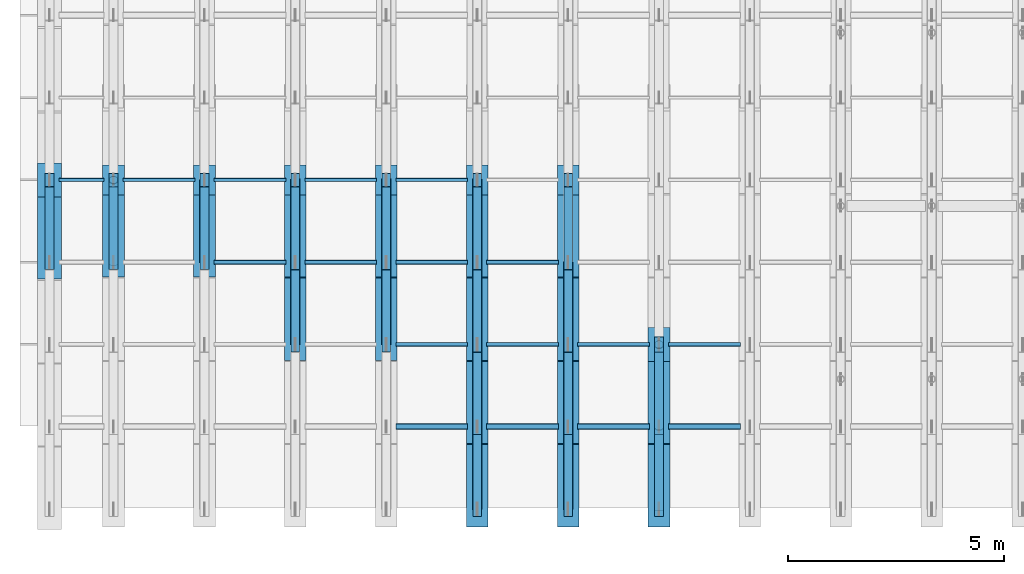
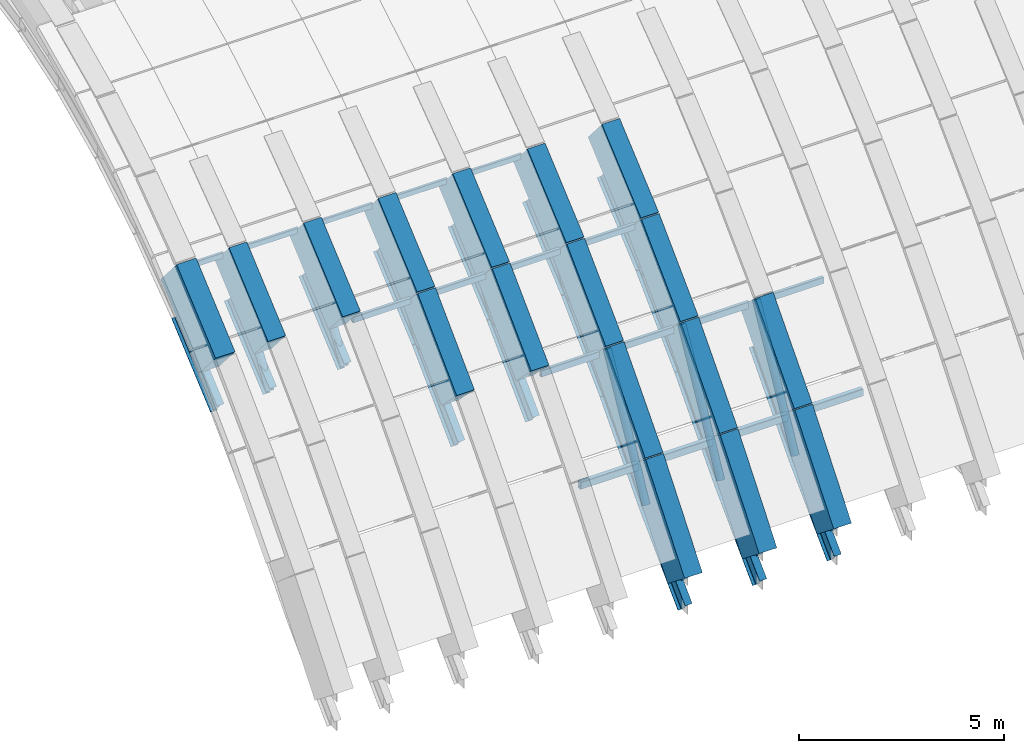
# One storey, part 2 of 67: 34 beams, 32 members.
"""IFC4 building model written with IfcOpenShell, lengths in metres."""

from ifc_helpers import new_model, si_unit, direction, frame, origin, origin_2d, place, context, subcontext, project, spatial, rectangle, hollow_rectangle, hollow_circle, i_section, extrude, material, material_profile, profile_set, type_object, element, save


model = new_model("IFC4")

# Units and contexts
model_context = context("Model", 3, precision=1e-05, world=origin(), true_north=direction((0.0, 1.0)))
body_context = subcontext(model_context, "Body", "Model", "MODEL_VIEW")
ifc_project = project(units=[si_unit("LENGTHUNIT", "METRE"), si_unit("AREAUNIT", "SQUARE_METRE"), si_unit("VOLUMEUNIT", "CUBIC_METRE"), si_unit("PLANEANGLEUNIT", "RADIAN"), si_unit("MASSUNIT", "GRAM", prefix="KILO")], contexts=[model_context])

# Site, building, storey
site_placement = place(None, origin())
site = spatial("IfcSite", under=ifc_project, at=site_placement, CompositionType="ELEMENT")
building_placement = place(site_placement, origin())
building = spatial("IfcBuilding", under=site, at=building_placement, Name="Shengluoqiao Park Theatre", CompositionType="ELEMENT")
storey_placement = place(building_placement, frame((0.0, 0.0, 28.60009765625)))
storey = spatial("IfcBuildingStorey", under=building, at=storey_placement, Name="Roof", CompositionType="ELEMENT", Elevation=28.60009765625)

# Beams
ifc_material_1 = material(Name="Concrete C50", Category="concrete")
ifc_material_profile_1 = material_profile(ifc_material_1, rectangle(XDim=0.5, YDim=1.050048828125, at=origin_2d()), Name="RC ARCH 500x1050")
ifc_profile_set_1 = profile_set([ifc_material_profile_1], Name="Concrete C50")
beam_type_1 = type_object("IfcBeamType", Name="STR-BM-AR-5010", PredefinedType="BEAM", material=ifc_profile_set_1)
for number, where, z_axis, x_axis, name in (
    (1, (46.5, 81.699951171875, -3.593994140625), (0.0, 0.757433195517, 0.652912669757), (-1.0, 0.0, 0.0), "Barrel-Shell Arch Rib R02-S04"),
    (2, (48.60009765625, 81.699951171875, -3.593994140625), (0.0, 0.757433195517, 0.652912669757), (-1.0, 0.0, 0.0), "Barrel-Shell Arch Rib R03-S04"),
):
    element("IfcBeam", number, at=place(storey_placement, frame(where, z_axis=z_axis, x_axis=x_axis)), inside=storey, type_object=beam_type_1, Name=name, PredefinedType="BEAM", context=body_context, shape_type="SweptSolid", body=[
        extrude(rectangle(XDim=0.5, YDim=1.050048828125, at=origin_2d()), origin(), (0.0, 0.0, 1.0), 2.508544921875),
    ])
beam_1_placement = place(storey_placement, frame((50.699951171875, 79.800048828125, -5.484130859375), z_axis=(0.0, 0.708926398432, 0.705282469373), x_axis=(-1.0, 0.0, 0.0)))
element("IfcBeam", 3, at=beam_1_placement, inside=storey, type_object=beam_type_1, Name="Barrel-Shell Arch Rib R04-S03", PredefinedType="BEAM", context=body_context, shape_type="SweptSolid", body=[
    extrude(rectangle(XDim=0.5, YDim=1.050048828125, at=origin_2d()), origin(), (0.0, 0.0, 1.0), 2.679931640625),
])
beam_2_placement = place(storey_placement, frame((50.699951171875, 81.699951171875, -3.593994140625), z_axis=(0.0, 0.757433195517, 0.652912669757), x_axis=(-1.0, 0.0, 0.0)))
element("IfcBeam", 4, at=beam_2_placement, inside=storey, type_object=beam_type_1, Name="Barrel-Shell Arch Rib R04-S04", PredefinedType="BEAM", context=body_context, shape_type="SweptSolid", body=[
    extrude(rectangle(XDim=0.5, YDim=1.050048828125, at=origin_2d()), origin(), (0.0, 0.0, 1.0), 2.508544921875),
])
beam_3_placement = place(storey_placement, frame((52.800048828125, 79.800048828125, -5.484130859375), z_axis=(0.0, 0.708926398432, 0.705282469373), x_axis=(-1.0, 0.0, 0.0)))
element("IfcBeam", 5, at=beam_3_placement, inside=storey, type_object=beam_type_1, Name="Barrel-Shell Arch Rib R05-S03", PredefinedType="BEAM", context=body_context, shape_type="SweptSolid", body=[
    extrude(rectangle(XDim=0.5, YDim=1.050048828125, at=origin_2d()), origin(), (0.0, 0.0, 1.0), 2.679931640625),
])
beam_4_placement = place(storey_placement, frame((52.800048828125, 81.699951171875, -3.593994140625), z_axis=(0.0, 0.757433195517, 0.652912669757), x_axis=(-1.0, 0.0, 0.0)))
element("IfcBeam", 6, at=beam_4_placement, inside=storey, type_object=beam_type_1, Name="Barrel-Shell Arch Rib R05-S04", PredefinedType="BEAM", context=body_context, shape_type="SweptSolid", body=[
    extrude(rectangle(XDim=0.5, YDim=1.050048828125, at=origin_2d()), origin(), (0.0, 0.0, 1.0), 2.508544921875),
])
beam_5_placement = place(storey_placement, frame((54.89990234375, 76.0, -10.02001953125), z_axis=(0.0, 0.621631409309, 0.783309894588), x_axis=(-1.0, 0.0, 0.0)))
element("IfcBeam", 7, at=beam_5_placement, inside=storey, type_object=beam_type_1, Name="Barrel-Shell Arch Rib R06-S01", PredefinedType="BEAM", context=body_context, shape_type="SweptSolid", body=[
    extrude(rectangle(XDim=0.5, YDim=1.050048828125, at=origin_2d()), origin(), (0.0, 0.0, 1.0), 3.056396484375),
])
beam_6_placement = place(storey_placement, frame((54.89990234375, 77.89990234375, -7.6259765625), z_axis=(0.0, 0.663638456789, 0.748053473136), x_axis=(-1.0, 0.0, 0.0)))
element("IfcBeam", 8, at=beam_6_placement, inside=storey, type_object=beam_type_1, Name="Barrel-Shell Arch Rib R06-S02", PredefinedType="BEAM", context=body_context, shape_type="SweptSolid", body=[
    extrude(rectangle(XDim=0.5, YDim=1.050048828125, at=origin_2d()), origin(), (0.0, 0.0, 1.0), 2.86328125),
])
beam_7_placement = place(storey_placement, frame((54.89990234375, 79.800048828125, -5.484130859375), z_axis=(0.0, 0.708926398432, 0.705282469373), x_axis=(-1.0, 0.0, 0.0)))
element("IfcBeam", 9, at=beam_7_placement, inside=storey, type_object=beam_type_1, Name="Barrel-Shell Arch Rib R06-S03", PredefinedType="BEAM", context=body_context, shape_type="SweptSolid", body=[
    extrude(rectangle(XDim=0.5, YDim=1.050048828125, at=origin_2d()), origin(), (0.0, 0.0, 1.0), 2.679931640625),
])
beam_8_placement = place(storey_placement, frame((54.89990234375, 81.699951171875, -3.593994140625), z_axis=(0.0, 0.757433195517, 0.652912669757), x_axis=(-1.0, 0.0, 0.0)))
element("IfcBeam", 10, at=beam_8_placement, inside=storey, type_object=beam_type_1, Name="Barrel-Shell Arch Rib R06-S04", PredefinedType="BEAM", context=body_context, shape_type="SweptSolid", body=[
    extrude(rectangle(XDim=0.5, YDim=1.050048828125, at=origin_2d()), origin(), (0.0, 0.0, 1.0), 2.508544921875),
])
beam_9_placement = place(storey_placement, frame((57.0, 76.0, -10.02001953125), z_axis=(0.0, 0.621631409309, 0.783309894588), x_axis=(-1.0, 0.0, 0.0)))
element("IfcBeam", 11, at=beam_9_placement, inside=storey, type_object=beam_type_1, Name="Barrel-Shell Arch Rib R07-S01", PredefinedType="BEAM", context=body_context, shape_type="SweptSolid", body=[
    extrude(rectangle(XDim=0.5, YDim=1.050048828125, at=origin_2d()), origin(), (0.0, 0.0, 1.0), 3.056396484375),
])
beam_10_placement = place(storey_placement, frame((57.0, 77.89990234375, -7.6259765625), z_axis=(0.0, 0.663638456789, 0.748053473136), x_axis=(-1.0, 0.0, 0.0)))
element("IfcBeam", 12, at=beam_10_placement, inside=storey, type_object=beam_type_1, Name="Barrel-Shell Arch Rib R07-S02", PredefinedType="BEAM", context=body_context, shape_type="SweptSolid", body=[
    extrude(rectangle(XDim=0.5, YDim=1.050048828125, at=origin_2d()), origin(), (0.0, 0.0, 1.0), 2.86328125),
])
beam_11_placement = place(storey_placement, frame((57.0, 79.800048828125, -5.484130859375), z_axis=(0.0, 0.708926398432, 0.705282469373), x_axis=(-1.0, 0.0, 0.0)))
element("IfcBeam", 13, at=beam_11_placement, inside=storey, type_object=beam_type_1, Name="Barrel-Shell Arch Rib R07-S03", PredefinedType="BEAM", context=body_context, shape_type="SweptSolid", body=[
    extrude(rectangle(XDim=0.5, YDim=1.050048828125, at=origin_2d()), origin(), (0.0, 0.0, 1.0), 2.679931640625),
])
beam_12_placement = place(storey_placement, frame((57.0, 81.699951171875, -3.593994140625), z_axis=(0.0, 0.757433195517, 0.652912669757), x_axis=(-1.0, 0.0, 0.0)))
element("IfcBeam", 14, at=beam_12_placement, inside=storey, type_object=beam_type_1, Name="Barrel-Shell Arch Rib R07-S04", PredefinedType="BEAM", context=body_context, shape_type="SweptSolid", body=[
    extrude(rectangle(XDim=0.5, YDim=1.050048828125, at=origin_2d()), origin(), (0.0, 0.0, 1.0), 2.508544921875),
])
beam_13_placement = place(storey_placement, frame((59.10009765625, 76.0, -10.02001953125), z_axis=(0.0, 0.621631409309, 0.783309894588), x_axis=(-1.0, 0.0, 0.0)))
element("IfcBeam", 15, at=beam_13_placement, inside=storey, type_object=beam_type_1, Name="Barrel-Shell Arch Rib R08-S01", PredefinedType="BEAM", context=body_context, shape_type="SweptSolid", body=[
    extrude(rectangle(XDim=0.5, YDim=1.050048828125, at=origin_2d()), origin(), (0.0, 0.0, 1.0), 3.056396484375),
])
beam_14_placement = place(storey_placement, frame((59.10009765625, 77.89990234375, -7.6259765625), z_axis=(0.0, 0.663638456789, 0.748053473136), x_axis=(-1.0, 0.0, 0.0)))
element("IfcBeam", 16, at=beam_14_placement, inside=storey, type_object=beam_type_1, Name="Barrel-Shell Arch Rib R08-S02", PredefinedType="BEAM", context=body_context, shape_type="SweptSolid", body=[
    extrude(rectangle(XDim=0.5, YDim=1.050048828125, at=origin_2d()), origin(), (0.0, 0.0, 1.0), 2.86328125),
])
ifc_material_profile_2 = material_profile(ifc_material_1, rectangle(XDim=0.550048828125, YDim=1.199951171875, at=origin_2d()), Name="RC ARCH 550x1200")
ifc_profile_set_2 = profile_set([ifc_material_profile_2], Name="Concrete C50")
beam_type_2 = type_object("IfcBeamType", Name="STR-BM-AR-5512", PredefinedType="BEAM", material=ifc_profile_set_2)
beam_15_placement = place(storey_placement, frame((45.02001953125, 81.699951171875, -3.593994140625), z_axis=(0.0, 0.757433195517, 0.652912669757), x_axis=(-1.0, 0.0, 0.0)))
element("IfcBeam", 17, at=beam_15_placement, inside=storey, type_object=beam_type_2, Name="Barrel-Shell Arch Rib R01-S04", PredefinedType="BEAM", context=body_context, shape_type="SweptSolid", body=[
    extrude(rectangle(XDim=0.550048828125, YDim=1.199951171875, at=origin_2d()), origin(), (0.0, 0.0, 1.0), 2.508544921875),
])
ifc_material_2 = material(Name="Steel Q355", Category="steel")
ifc_material_profile_3 = material_profile(ifc_material_2, i_section(OverallWidth=0.199951171875, OverallDepth=0.5, WebThickness=0.010009765625, FlangeThickness=0.01611328125, FilletRadius=0.01806640625, at=origin_2d()), Name="HN 500x200x10x16")
ifc_profile_set_3 = profile_set([ifc_material_profile_3], Name="Steel Q355")
beam_type_3 = type_object("IfcBeamType", Name="STR-BM-J-HN500", PredefinedType="JOIST", material=ifc_profile_set_3)
for number, where, z_axis, x_axis, name in (
    (18, (45.02001953125, 81.699951171875, -4.9541015625), (0.0, 0.757433195517, 0.652912669757), (-1.0, 0.0, 0.0), "Barrel-Shell Lower Arch Chord R01-S04"),
    (19, (46.5, 81.699951171875, -4.9541015625), (0.0, 0.757433195517, 0.652912669757), (-1.0, 0.0, 0.0), "Barrel-Shell Lower Arch Chord R02-S04"),
    (20, (48.60009765625, 81.699951171875, -4.9541015625), (0.0, 0.757433195517, 0.652912669757), (-1.0, 0.0, 0.0), "Barrel-Shell Lower Arch Chord R03-S04"),
):
    element("IfcBeam", number, at=place(storey_placement, frame(where, z_axis=z_axis, x_axis=x_axis)), inside=storey, type_object=beam_type_3, Name=name, PredefinedType="JOIST", context=body_context, shape_type="SweptSolid", body=[
        extrude(i_section(OverallWidth=0.199951171875, OverallDepth=0.5, WebThickness=0.010009765625, FlangeThickness=0.01611328125, FilletRadius=0.01806640625, at=origin_2d()), origin(), (0.0, 0.0, 1.0), 2.508544921875),
    ])
beam_16_placement = place(storey_placement, frame((50.699951171875, 79.800048828125, -6.843994140625), z_axis=(0.0, 0.708971948389, 0.70523668112), x_axis=(-1.0, 0.0, 0.0)))
element("IfcBeam", 21, at=beam_16_placement, inside=storey, type_object=beam_type_3, Name="Barrel-Shell Lower Arch Chord R04-S03", PredefinedType="JOIST", context=body_context, shape_type="SweptSolid", body=[
    extrude(i_section(OverallWidth=0.199951171875, OverallDepth=0.5, WebThickness=0.010009765625, FlangeThickness=0.01611328125, FilletRadius=0.01806640625, at=origin_2d()), origin(), (0.0, 0.0, 1.0), 2.6796875),
])
beam_17_placement = place(storey_placement, frame((50.699951171875, 81.699951171875, -4.9541015625), z_axis=(0.0, 0.757433195517, 0.652912669757), x_axis=(-1.0, 0.0, 0.0)))
element("IfcBeam", 22, at=beam_17_placement, inside=storey, type_object=beam_type_3, Name="Barrel-Shell Lower Arch Chord R04-S04", PredefinedType="JOIST", context=body_context, shape_type="SweptSolid", body=[
    extrude(i_section(OverallWidth=0.199951171875, OverallDepth=0.5, WebThickness=0.010009765625, FlangeThickness=0.01611328125, FilletRadius=0.01806640625, at=origin_2d()), origin(), (0.0, 0.0, 1.0), 2.508544921875),
])
beam_18_placement = place(storey_placement, frame((52.800048828125, 79.800048828125, -6.843994140625), z_axis=(0.0, 0.708971948389, 0.70523668112), x_axis=(-1.0, 0.0, 0.0)))
element("IfcBeam", 23, at=beam_18_placement, inside=storey, type_object=beam_type_3, Name="Barrel-Shell Lower Arch Chord R05-S03", PredefinedType="JOIST", context=body_context, shape_type="SweptSolid", body=[
    extrude(i_section(OverallWidth=0.199951171875, OverallDepth=0.5, WebThickness=0.010009765625, FlangeThickness=0.01611328125, FilletRadius=0.01806640625, at=origin_2d()), origin(), (0.0, 0.0, 1.0), 2.6796875),
])
beam_19_placement = place(storey_placement, frame((52.800048828125, 81.699951171875, -4.9541015625), z_axis=(0.0, 0.757433195517, 0.652912669757), x_axis=(-1.0, 0.0, 0.0)))
element("IfcBeam", 24, at=beam_19_placement, inside=storey, type_object=beam_type_3, Name="Barrel-Shell Lower Arch Chord R05-S04", PredefinedType="JOIST", context=body_context, shape_type="SweptSolid", body=[
    extrude(i_section(OverallWidth=0.199951171875, OverallDepth=0.5, WebThickness=0.010009765625, FlangeThickness=0.01611328125, FilletRadius=0.01806640625, at=origin_2d()), origin(), (0.0, 0.0, 1.0), 2.508544921875),
])
beam_20_placement = place(storey_placement, frame((54.89990234375, 76.0, -10.880126953125), z_axis=(0.0, 0.708197993403, 0.706013882398), x_axis=(-1.0, 0.0, 0.0)))
element("IfcBeam", 25, at=beam_20_placement, inside=storey, type_object=beam_type_3, Name="Barrel-Shell Lower Arch Chord R06-S01", PredefinedType="JOIST", context=body_context, shape_type="SweptSolid", body=[
    extrude(i_section(OverallWidth=0.199951171875, OverallDepth=0.5, WebThickness=0.010009765625, FlangeThickness=0.01611328125, FilletRadius=0.01806640625, at=origin_2d()), origin(), (0.0, 0.0, 1.0), 2.6826171875),
])
beam_21_placement = place(storey_placement, frame((54.89990234375, 77.89990234375, -8.986083984375), z_axis=(0.0, 0.663596128385, 0.748091022799), x_axis=(-1.0, 0.0, 0.0)))
element("IfcBeam", 26, at=beam_21_placement, inside=storey, type_object=beam_type_3, Name="Barrel-Shell Lower Arch Chord R06-S02", PredefinedType="JOIST", context=body_context, shape_type="SweptSolid", body=[
    extrude(i_section(OverallWidth=0.199951171875, OverallDepth=0.5, WebThickness=0.010009765625, FlangeThickness=0.01611328125, FilletRadius=0.01806640625, at=origin_2d()), origin(), (0.0, 0.0, 1.0), 2.863525390625),
])
beam_22_placement = place(storey_placement, frame((54.89990234375, 79.800048828125, -6.843994140625), z_axis=(0.0, 0.708971948389, 0.70523668112), x_axis=(-1.0, 0.0, 0.0)))
element("IfcBeam", 27, at=beam_22_placement, inside=storey, type_object=beam_type_3, Name="Barrel-Shell Lower Arch Chord R06-S03", PredefinedType="JOIST", context=body_context, shape_type="SweptSolid", body=[
    extrude(i_section(OverallWidth=0.199951171875, OverallDepth=0.5, WebThickness=0.010009765625, FlangeThickness=0.01611328125, FilletRadius=0.01806640625, at=origin_2d()), origin(), (0.0, 0.0, 1.0), 2.6796875),
])
beam_23_placement = place(storey_placement, frame((54.89990234375, 81.699951171875, -4.9541015625), z_axis=(0.0, 0.757433195517, 0.652912669757), x_axis=(-1.0, 0.0, 0.0)))
element("IfcBeam", 28, at=beam_23_placement, inside=storey, type_object=beam_type_3, Name="Barrel-Shell Lower Arch Chord R06-S04", PredefinedType="JOIST", context=body_context, shape_type="SweptSolid", body=[
    extrude(i_section(OverallWidth=0.199951171875, OverallDepth=0.5, WebThickness=0.010009765625, FlangeThickness=0.01611328125, FilletRadius=0.01806640625, at=origin_2d()), origin(), (0.0, 0.0, 1.0), 2.508544921875),
])
beam_24_placement = place(storey_placement, frame((57.0, 76.0, -10.880126953125), z_axis=(0.0, 0.708197993403, 0.706013882398), x_axis=(-1.0, 0.0, 0.0)))
element("IfcBeam", 29, at=beam_24_placement, inside=storey, type_object=beam_type_3, Name="Barrel-Shell Lower Arch Chord R07-S01", PredefinedType="JOIST", context=body_context, shape_type="SweptSolid", body=[
    extrude(i_section(OverallWidth=0.199951171875, OverallDepth=0.5, WebThickness=0.010009765625, FlangeThickness=0.01611328125, FilletRadius=0.01806640625, at=origin_2d()), origin(), (0.0, 0.0, 1.0), 2.6826171875),
])
beam_25_placement = place(storey_placement, frame((57.0, 77.89990234375, -8.986083984375), z_axis=(0.0, 0.663596128385, 0.748091022799), x_axis=(-1.0, 0.0, 0.0)))
element("IfcBeam", 30, at=beam_25_placement, inside=storey, type_object=beam_type_3, Name="Barrel-Shell Lower Arch Chord R07-S02", PredefinedType="JOIST", context=body_context, shape_type="SweptSolid", body=[
    extrude(i_section(OverallWidth=0.199951171875, OverallDepth=0.5, WebThickness=0.010009765625, FlangeThickness=0.01611328125, FilletRadius=0.01806640625, at=origin_2d()), origin(), (0.0, 0.0, 1.0), 2.863525390625),
])
beam_26_placement = place(storey_placement, frame((57.0, 79.800048828125, -6.843994140625), z_axis=(0.0, 0.708971948389, 0.70523668112), x_axis=(-1.0, 0.0, 0.0)))
element("IfcBeam", 31, at=beam_26_placement, inside=storey, type_object=beam_type_3, Name="Barrel-Shell Lower Arch Chord R07-S03", PredefinedType="JOIST", context=body_context, shape_type="SweptSolid", body=[
    extrude(i_section(OverallWidth=0.199951171875, OverallDepth=0.5, WebThickness=0.010009765625, FlangeThickness=0.01611328125, FilletRadius=0.01806640625, at=origin_2d()), origin(), (0.0, 0.0, 1.0), 2.6796875),
])
beam_27_placement = place(storey_placement, frame((57.0, 81.699951171875, -4.9541015625), z_axis=(0.0, 0.757433195517, 0.652912669757), x_axis=(-1.0, 0.0, 0.0)))
element("IfcBeam", 32, at=beam_27_placement, inside=storey, type_object=beam_type_3, Name="Barrel-Shell Lower Arch Chord R07-S04", PredefinedType="JOIST", context=body_context, shape_type="SweptSolid", body=[
    extrude(i_section(OverallWidth=0.199951171875, OverallDepth=0.5, WebThickness=0.010009765625, FlangeThickness=0.01611328125, FilletRadius=0.01806640625, at=origin_2d()), origin(), (0.0, 0.0, 1.0), 2.508544921875),
])
beam_28_placement = place(storey_placement, frame((59.10009765625, 76.0, -10.880126953125), z_axis=(0.0, 0.708197993403, 0.706013882398), x_axis=(-1.0, 0.0, 0.0)))
element("IfcBeam", 33, at=beam_28_placement, inside=storey, type_object=beam_type_3, Name="Barrel-Shell Lower Arch Chord R08-S01", PredefinedType="JOIST", context=body_context, shape_type="SweptSolid", body=[
    extrude(i_section(OverallWidth=0.199951171875, OverallDepth=0.5, WebThickness=0.010009765625, FlangeThickness=0.01611328125, FilletRadius=0.01806640625, at=origin_2d()), origin(), (0.0, 0.0, 1.0), 2.6826171875),
])
beam_29_placement = place(storey_placement, frame((59.10009765625, 77.89990234375, -8.986083984375), z_axis=(0.0, 0.663596128385, 0.748091022799), x_axis=(-1.0, 0.0, 0.0)))
element("IfcBeam", 34, at=beam_29_placement, inside=storey, type_object=beam_type_3, Name="Barrel-Shell Lower Arch Chord R08-S02", PredefinedType="JOIST", context=body_context, shape_type="SweptSolid", body=[
    extrude(i_section(OverallWidth=0.199951171875, OverallDepth=0.5, WebThickness=0.010009765625, FlangeThickness=0.01611328125, FilletRadius=0.01806640625, at=origin_2d()), origin(), (0.0, 0.0, 1.0), 2.863525390625),
])

# Members
ifc_material_profile_4 = material_profile(ifc_material_2, hollow_circle(Radius=0.109619140625, WallThickness=0.010009765625, at=origin_2d()), Name="CHS 219x10")
ifc_profile_set_4 = profile_set([ifc_material_profile_4], Name="Steel Q355")
member_type_1 = type_object("IfcMemberType", Name="STR-MEM-BRC-219", PredefinedType="BRACE", material=ifc_profile_set_4)
for number, where, z_axis, x_axis, name in (
    (35, (46.5, 81.699951171875, -4.9541015625), (0.0, 0.535330234694, 0.844642847494), (-1.0, 0.0, 0.0), "Barrel-Shell Arch Truss Web 0024"),
    (36, (48.60009765625, 81.699951171875, -4.9541015625), (0.0, 0.535330234694, 0.844642847494), (-1.0, 0.0, 0.0), "Barrel-Shell Arch Truss Web 0044"),
):
    element("IfcMember", number, at=place(storey_placement, frame(where, z_axis=z_axis, x_axis=x_axis)), inside=storey, type_object=member_type_1, Name=name, PredefinedType="BRACE", context=body_context, shape_type="SweptSolid", body=[
        extrude(hollow_circle(Radius=0.109619140625, WallThickness=0.010009765625, at=origin_2d()), origin(), (0.0, 0.0, 1.0), 3.549560546875),
    ])
member_1_placement = place(storey_placement, frame((50.699951171875, 79.800048828125, -5.484130859375), z_axis=(0.0, 0.963219400843, 0.268716180831), x_axis=(-1.0, 0.0, 0.0)))
element("IfcMember", 37, at=member_1_placement, inside=storey, type_object=member_type_1, Name="Barrel-Shell Arch Truss Web 0063", PredefinedType="BRACE", context=body_context, shape_type="SweptSolid", body=[
    extrude(hollow_circle(Radius=0.109619140625, WallThickness=0.010009765625, at=origin_2d()), origin(), (0.0, 0.0, 1.0), 1.972412109375),
])
member_2_placement = place(storey_placement, frame((50.699951171875, 81.699951171875, -4.9541015625), z_axis=(0.0, 0.535330234694, 0.844642847494), x_axis=(-1.0, 0.0, 0.0)))
element("IfcMember", 38, at=member_2_placement, inside=storey, type_object=member_type_1, Name="Barrel-Shell Arch Truss Web 0064", PredefinedType="BRACE", context=body_context, shape_type="SweptSolid", body=[
    extrude(hollow_circle(Radius=0.109619140625, WallThickness=0.010009765625, at=origin_2d()), origin(), (0.0, 0.0, 1.0), 3.549560546875),
])
member_3_placement = place(storey_placement, frame((52.800048828125, 79.800048828125, -5.484130859375), z_axis=(0.0, 0.963219400843, 0.268716180831), x_axis=(-1.0, 0.0, 0.0)))
element("IfcMember", 39, at=member_3_placement, inside=storey, type_object=member_type_1, Name="Barrel-Shell Arch Truss Web 0083", PredefinedType="BRACE", context=body_context, shape_type="SweptSolid", body=[
    extrude(hollow_circle(Radius=0.109619140625, WallThickness=0.010009765625, at=origin_2d()), origin(), (0.0, 0.0, 1.0), 1.972412109375),
])
member_4_placement = place(storey_placement, frame((52.800048828125, 81.699951171875, -4.9541015625), z_axis=(0.0, 0.535330234694, 0.844642847494), x_axis=(-1.0, 0.0, 0.0)))
element("IfcMember", 40, at=member_4_placement, inside=storey, type_object=member_type_1, Name="Barrel-Shell Arch Truss Web 0084", PredefinedType="BRACE", context=body_context, shape_type="SweptSolid", body=[
    extrude(hollow_circle(Radius=0.109619140625, WallThickness=0.010009765625, at=origin_2d()), origin(), (0.0, 0.0, 1.0), 3.549560546875),
])
member_5_placement = place(storey_placement, frame((54.89990234375, 76.0, -10.02001953125), z_axis=(0.0, 0.878356711208, 0.478005740422), x_axis=(-1.0, 0.0, 0.0)))
element("IfcMember", 41, at=member_5_placement, inside=storey, type_object=member_type_1, Name="Barrel-Shell Arch Truss Web 0101", PredefinedType="BRACE", context=body_context, shape_type="SweptSolid", body=[
    extrude(hollow_circle(Radius=0.109619140625, WallThickness=0.010009765625, at=origin_2d()), origin(), (0.0, 0.0, 1.0), 2.1630859375),
])
member_6_placement = place(storey_placement, frame((54.89990234375, 77.89990234375, -8.986083984375), z_axis=(0.0, 0.476914707828, 0.87894957845), x_axis=(-1.0, 0.0, 0.0)))
element("IfcMember", 42, at=member_6_placement, inside=storey, type_object=member_type_1, Name="Barrel-Shell Arch Truss Web 0102", PredefinedType="BRACE", context=body_context, shape_type="SweptSolid", body=[
    extrude(hollow_circle(Radius=0.109619140625, WallThickness=0.010009765625, at=origin_2d()), origin(), (0.0, 0.0, 1.0), 3.984130859375),
])
member_7_placement = place(storey_placement, frame((54.89990234375, 79.800048828125, -5.484130859375), z_axis=(0.0, 0.963219400843, 0.268716180831), x_axis=(-1.0, 0.0, 0.0)))
element("IfcMember", 43, at=member_7_placement, inside=storey, type_object=member_type_1, Name="Barrel-Shell Arch Truss Web 0103", PredefinedType="BRACE", context=body_context, shape_type="SweptSolid", body=[
    extrude(hollow_circle(Radius=0.109619140625, WallThickness=0.010009765625, at=origin_2d()), origin(), (0.0, 0.0, 1.0), 1.972412109375),
])
member_8_placement = place(storey_placement, frame((54.89990234375, 81.699951171875, -4.9541015625), z_axis=(0.0, 0.535330234694, 0.844642847494), x_axis=(-1.0, 0.0, 0.0)))
element("IfcMember", 44, at=member_8_placement, inside=storey, type_object=member_type_1, Name="Barrel-Shell Arch Truss Web 0104", PredefinedType="BRACE", context=body_context, shape_type="SweptSolid", body=[
    extrude(hollow_circle(Radius=0.109619140625, WallThickness=0.010009765625, at=origin_2d()), origin(), (0.0, 0.0, 1.0), 3.549560546875),
])
member_9_placement = place(storey_placement, frame((57.0, 76.0, -10.02001953125), z_axis=(0.0, 0.878356711208, 0.478005740422), x_axis=(-1.0, 0.0, 0.0)))
element("IfcMember", 45, at=member_9_placement, inside=storey, type_object=member_type_1, Name="Barrel-Shell Arch Truss Web 0121", PredefinedType="BRACE", context=body_context, shape_type="SweptSolid", body=[
    extrude(hollow_circle(Radius=0.109619140625, WallThickness=0.010009765625, at=origin_2d()), origin(), (0.0, 0.0, 1.0), 2.1630859375),
])
member_10_placement = place(storey_placement, frame((57.0, 77.89990234375, -8.986083984375), z_axis=(0.0, 0.476914707828, 0.87894957845), x_axis=(-1.0, 0.0, 0.0)))
element("IfcMember", 46, at=member_10_placement, inside=storey, type_object=member_type_1, Name="Barrel-Shell Arch Truss Web 0122", PredefinedType="BRACE", context=body_context, shape_type="SweptSolid", body=[
    extrude(hollow_circle(Radius=0.109619140625, WallThickness=0.010009765625, at=origin_2d()), origin(), (0.0, 0.0, 1.0), 3.984130859375),
])
member_11_placement = place(storey_placement, frame((57.0, 79.800048828125, -5.484130859375), z_axis=(0.0, 0.963219400843, 0.268716180831), x_axis=(-1.0, 0.0, 0.0)))
element("IfcMember", 47, at=member_11_placement, inside=storey, type_object=member_type_1, Name="Barrel-Shell Arch Truss Web 0123", PredefinedType="BRACE", context=body_context, shape_type="SweptSolid", body=[
    extrude(hollow_circle(Radius=0.109619140625, WallThickness=0.010009765625, at=origin_2d()), origin(), (0.0, 0.0, 1.0), 1.972412109375),
])
member_12_placement = place(storey_placement, frame((59.10009765625, 76.0, -10.02001953125), z_axis=(0.0, 0.878356711208, 0.478005740422), x_axis=(-1.0, 0.0, 0.0)))
element("IfcMember", 48, at=member_12_placement, inside=storey, type_object=member_type_1, Name="Barrel-Shell Arch Truss Web 0141", PredefinedType="BRACE", context=body_context, shape_type="SweptSolid", body=[
    extrude(hollow_circle(Radius=0.109619140625, WallThickness=0.010009765625, at=origin_2d()), origin(), (0.0, 0.0, 1.0), 2.1630859375),
])
member_13_placement = place(storey_placement, frame((59.10009765625, 77.89990234375, -8.986083984375), z_axis=(0.0, 0.476914707828, 0.87894957845), x_axis=(-1.0, 0.0, 0.0)))
element("IfcMember", 49, at=member_13_placement, inside=storey, type_object=member_type_1, Name="Barrel-Shell Arch Truss Web 0142", PredefinedType="BRACE", context=body_context, shape_type="SweptSolid", body=[
    extrude(hollow_circle(Radius=0.109619140625, WallThickness=0.010009765625, at=origin_2d()), origin(), (0.0, 0.0, 1.0), 3.984130859375),
])
ifc_material_profile_5 = material_profile(ifc_material_2, hollow_rectangle(XDim=0.080078125, YDim=0.159912109375, WallThickness=0.006103515625, InnerFilletRadius=0.006103515625, OuterFilletRadius=0.011962890625, at=origin_2d()), Name="RHS 160x80x6")
ifc_profile_set_5 = profile_set([ifc_material_profile_5], Name="Steel Q355")
member_type_2 = type_object("IfcMemberType", Name="STR-MEM-PU-R160", PredefinedType="PURLIN", material=ifc_profile_set_5)
member_14_placement = place(storey_placement, frame((45.239990234375, 83.60009765625, -1.97607421875), z_axis=(1.0, 0.0, 0.0), x_axis=(0.0, 1.0, 0.0)))
element("IfcMember", 50, at=member_14_placement, inside=storey, type_object=member_type_2, Name="Shell Longitudinal Purlin 0004", PredefinedType="PURLIN", context=body_context, shape_type="SweptSolid", body=[
    extrude(hollow_rectangle(XDim=0.080078125, YDim=0.159912109375, WallThickness=0.006103515625, InnerFilletRadius=0.006103515625, OuterFilletRadius=0.011962890625, at=origin_2d()), origin(), (0.0, 0.0, 1.0), 1.0400390625),
])
for number, where, z_axis, x_axis, name in (
    (51, (46.719970703125, 83.60009765625, -1.97607421875), (1.0, 0.0, 0.0), (0.0, 1.0, 0.0), "Shell Longitudinal Purlin 0023"),
    (52, (48.820068359375, 83.60009765625, -1.97607421875), (1.0, 0.0, 0.0), (0.0, 1.0, 0.0), "Shell Longitudinal Purlin 0042"),
):
    element("IfcMember", number, at=place(storey_placement, frame(where, z_axis=z_axis, x_axis=x_axis)), inside=storey, type_object=member_type_2, Name=name, PredefinedType="PURLIN", context=body_context, shape_type="SweptSolid", body=[
        extrude(hollow_rectangle(XDim=0.080078125, YDim=0.159912109375, WallThickness=0.006103515625, InnerFilletRadius=0.006103515625, OuterFilletRadius=0.011962890625, at=origin_2d()), origin(), (0.0, 0.0, 1.0), 1.659912109375),
    ])
member_15_placement = place(storey_placement, frame((50.919921875, 83.60009765625, -1.97607421875), z_axis=(1.0, 0.0, 0.0), x_axis=(0.0, 1.0, 0.0)))
element("IfcMember", 53, at=member_15_placement, inside=storey, type_object=member_type_2, Name="Shell Longitudinal Purlin 0061", PredefinedType="PURLIN", context=body_context, shape_type="SweptSolid", body=[
    extrude(hollow_rectangle(XDim=0.080078125, YDim=0.159912109375, WallThickness=0.006103515625, InnerFilletRadius=0.006103515625, OuterFilletRadius=0.011962890625, at=origin_2d()), origin(), (0.0, 0.0, 1.0), 1.66015625),
])
member_16_placement = place(storey_placement, frame((53.02001953125, 83.60009765625, -1.97607421875), z_axis=(1.0, 0.0, 0.0), x_axis=(0.0, 1.0, 0.0)))
element("IfcMember", 54, at=member_16_placement, inside=storey, type_object=member_type_2, Name="Shell Longitudinal Purlin 0080", PredefinedType="PURLIN", context=body_context, shape_type="SweptSolid", body=[
    extrude(hollow_rectangle(XDim=0.080078125, YDim=0.159912109375, WallThickness=0.006103515625, InnerFilletRadius=0.006103515625, OuterFilletRadius=0.011962890625, at=origin_2d()), origin(), (0.0, 0.0, 1.0), 1.659912109375),
])
ifc_material_profile_6 = material_profile(ifc_material_2, hollow_rectangle(XDim=0.10009765625, YDim=0.179931640625, WallThickness=0.008056640625, InnerFilletRadius=0.008056640625, OuterFilletRadius=0.01611328125, at=origin_2d()), Name="RHS 180x100x8")
ifc_profile_set_6 = profile_set([ifc_material_profile_6], Name="Steel Q355")
member_type_3 = type_object("IfcMemberType", Name="STR-MEM-PU-R180", PredefinedType="PURLIN", material=ifc_profile_set_6)
member_17_placement = place(storey_placement, frame((48.820068359375, 81.699951171875, -3.64404296875), z_axis=(1.0, 0.0, 0.0), x_axis=(0.0, 1.0, 0.0)))
element("IfcMember", 55, at=member_17_placement, inside=storey, type_object=member_type_3, Name="Shell Longitudinal Purlin 0041", PredefinedType="PURLIN", context=body_context, shape_type="SweptSolid", body=[
    extrude(hollow_rectangle(XDim=0.10009765625, YDim=0.179931640625, WallThickness=0.008056640625, InnerFilletRadius=0.008056640625, OuterFilletRadius=0.01611328125, at=origin_2d()), origin(), (0.0, 0.0, 1.0), 1.659912109375),
])
member_18_placement = place(storey_placement, frame((50.919921875, 81.699951171875, -3.64404296875), z_axis=(1.0, 0.0, 0.0), x_axis=(0.0, 1.0, 0.0)))
element("IfcMember", 56, at=member_18_placement, inside=storey, type_object=member_type_3, Name="Shell Longitudinal Purlin 0060", PredefinedType="PURLIN", context=body_context, shape_type="SweptSolid", body=[
    extrude(hollow_rectangle(XDim=0.10009765625, YDim=0.179931640625, WallThickness=0.008056640625, InnerFilletRadius=0.008056640625, OuterFilletRadius=0.01611328125, at=origin_2d()), origin(), (0.0, 0.0, 1.0), 1.66015625),
])
for number, where, z_axis, x_axis, name in (
    (57, (53.02001953125, 81.699951171875, -3.64404296875), (1.0, 0.0, 0.0), (0.0, 1.0, 0.0), "Shell Longitudinal Purlin 0079"),
    (58, (55.1201171875, 81.699951171875, -3.64404296875), (1.0, 0.0, 0.0), (0.0, 1.0, 0.0), "Shell Longitudinal Purlin 0098"),
):
    element("IfcMember", number, at=place(storey_placement, frame(where, z_axis=z_axis, x_axis=x_axis)), inside=storey, type_object=member_type_3, Name=name, PredefinedType="PURLIN", context=body_context, shape_type="SweptSolid", body=[
        extrude(hollow_rectangle(XDim=0.10009765625, YDim=0.179931640625, WallThickness=0.008056640625, InnerFilletRadius=0.008056640625, OuterFilletRadius=0.01611328125, at=origin_2d()), origin(), (0.0, 0.0, 1.0), 1.659912109375),
    ])
ifc_material_profile_7 = material_profile(ifc_material_2, hollow_rectangle(XDim=0.10009765625, YDim=0.199951171875, WallThickness=0.008056640625, InnerFilletRadius=0.008056640625, OuterFilletRadius=0.01611328125, at=origin_2d()), Name="RHS 200x100x8")
ifc_profile_set_7 = profile_set([ifc_material_profile_7], Name="Steel Q355")
member_type_4 = type_object("IfcMemberType", Name="STR-MEM-PU-R200", PredefinedType="PURLIN", material=ifc_profile_set_7)
for number, where, z_axis, x_axis, name in (
    (59, (53.02001953125, 79.800048828125, -5.564208984375), (1.0, 0.0, 0.0), (0.0, 1.0, 0.0), "Shell Longitudinal Purlin 0078"),
    (60, (55.1201171875, 79.800048828125, -5.564208984375), (1.0, 0.0, 0.0), (0.0, 1.0, 0.0), "Shell Longitudinal Purlin 0097"),
    (61, (57.219970703125, 79.800048828125, -5.564208984375), (1.0, 0.0, 0.0), (0.0, 1.0, 0.0), "Shell Longitudinal Purlin 0116"),
    (62, (59.320068359375, 79.800048828125, -5.564208984375), (1.0, 0.0, 0.0), (0.0, 1.0, 0.0), "Shell Longitudinal Purlin 0135"),
):
    element("IfcMember", number, at=place(storey_placement, frame(where, z_axis=z_axis, x_axis=x_axis)), inside=storey, type_object=member_type_4, Name=name, PredefinedType="PURLIN", context=body_context, shape_type="SweptSolid", body=[
        extrude(hollow_rectangle(XDim=0.10009765625, YDim=0.199951171875, WallThickness=0.008056640625, InnerFilletRadius=0.008056640625, OuterFilletRadius=0.01611328125, at=origin_2d()), origin(), (0.0, 0.0, 1.0), 1.659912109375),
    ])
ifc_material_profile_8 = material_profile(ifc_material_2, hollow_rectangle(XDim=0.139892578125, YDim=0.219970703125, WallThickness=0.010009765625, InnerFilletRadius=0.010009765625, OuterFilletRadius=0.02001953125, at=origin_2d()), Name="RHS 220x140x10")
ifc_profile_set_8 = profile_set([ifc_material_profile_8], Name="Steel Q355")
member_type_5 = type_object("IfcMemberType", Name="STR-MEM-PU-R220", PredefinedType="PURLIN", material=ifc_profile_set_8)
for number, where, z_axis, x_axis, name in (
    (63, (53.02001953125, 77.89990234375, -7.736083984375), (1.0, 0.0, 0.0), (0.0, 1.0, 0.0), "Shell Longitudinal Purlin 0077"),
    (64, (55.1201171875, 77.89990234375, -7.736083984375), (1.0, 0.0, 0.0), (0.0, 1.0, 0.0), "Shell Longitudinal Purlin 0096"),
    (65, (57.219970703125, 77.89990234375, -7.736083984375), (1.0, 0.0, 0.0), (0.0, 1.0, 0.0), "Shell Longitudinal Purlin 0115"),
    (66, (59.320068359375, 77.89990234375, -7.736083984375), (1.0, 0.0, 0.0), (0.0, 1.0, 0.0), "Shell Longitudinal Purlin 0134"),
):
    element("IfcMember", number, at=place(storey_placement, frame(where, z_axis=z_axis, x_axis=x_axis)), inside=storey, type_object=member_type_5, Name=name, PredefinedType="PURLIN", context=body_context, shape_type="SweptSolid", body=[
        extrude(hollow_rectangle(XDim=0.139892578125, YDim=0.219970703125, WallThickness=0.010009765625, InnerFilletRadius=0.010009765625, OuterFilletRadius=0.02001953125, at=origin_2d()), origin(), (0.0, 0.0, 1.0), 1.659912109375),
    ])

save(model, "model.ifc")
